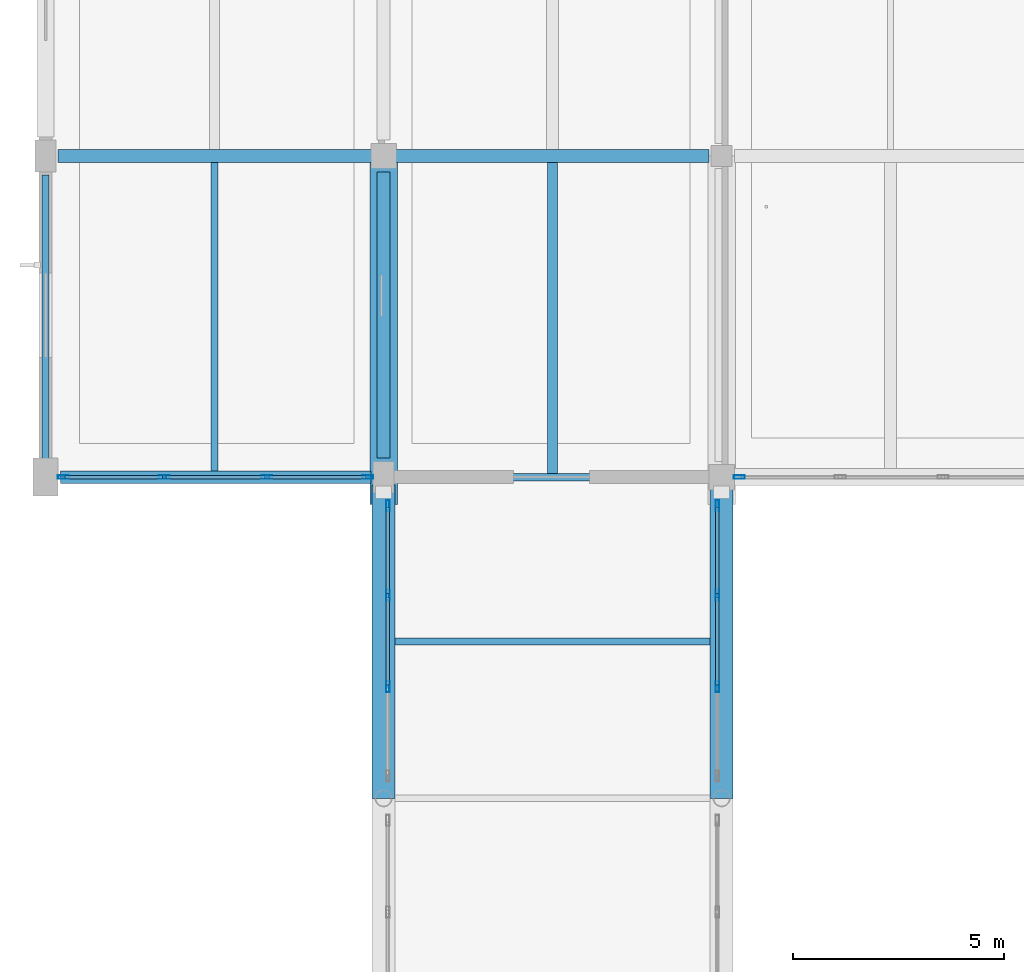
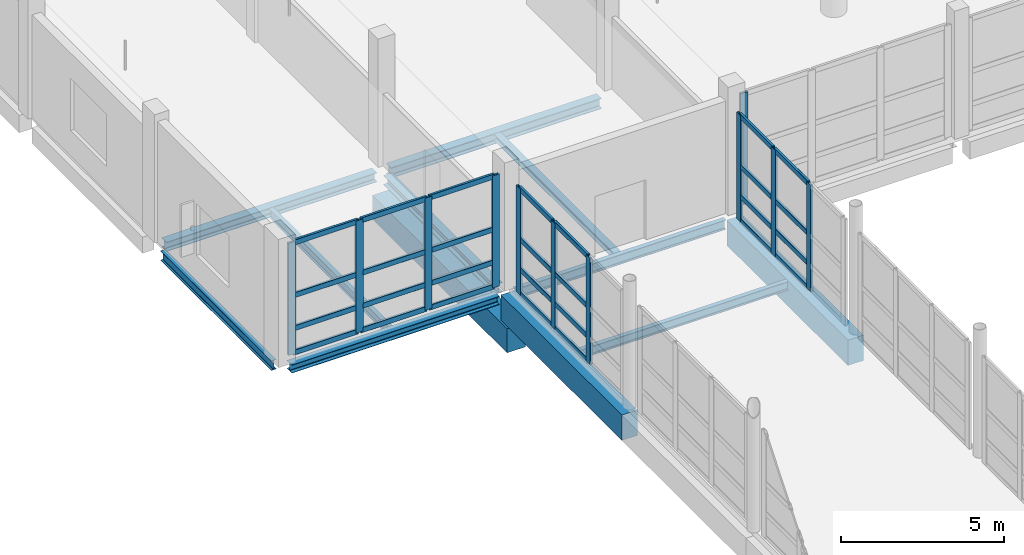
# One storey, part 33 of 147: 39 members, 12 beams, 4 elements without a shape of their own.
"""IFC4 building model written with IfcOpenShell, lengths in metres."""

from ifc_helpers import new_model, si_unit, direction, frame, origin, origin_2d, place, context, subcontext, project, spatial, rectangle, hollow_rectangle, i_section, extrude, material, material_profile, profile_set, type_object, element, aggregate, save


model = new_model("IFC4")

# Units and contexts
model_context = context("Model", 3, precision=1e-05, world=origin(), true_north=direction((0.0, 1.0)))
body_context = subcontext(model_context, "Body", "Model", "MODEL_VIEW")
ifc_project = project(units=[si_unit("LENGTHUNIT", "METRE"), si_unit("AREAUNIT", "SQUARE_METRE"), si_unit("VOLUMEUNIT", "CUBIC_METRE"), si_unit("PLANEANGLEUNIT", "RADIAN"), si_unit("MASSUNIT", "GRAM", prefix="KILO")], contexts=[model_context])

# Site, building, storey
site_placement = place(None, origin())
site = spatial("IfcSite", under=ifc_project, at=site_placement, CompositionType="ELEMENT")
building_placement = place(site_placement, origin())
building = spatial("IfcBuilding", under=site, at=building_placement, Name="Khelvaren Railside Concert Hall", CompositionType="ELEMENT")
storey_placement = place(building_placement, frame((0.0, 0.0, 5.39990234375)))
storey = spatial("IfcBuildingStorey", under=building, at=storey_placement, Name="L01", CompositionType="ELEMENT", Elevation=5.39990234375)

# Beams
ifc_material_1 = material(Name="Concrete C40/50", Category="concrete")
ifc_material_profile_1 = material_profile(ifc_material_1, rectangle(XDim=0.64990234375, YDim=0.89990234375, at=origin_2d()), Name="RCB 650x900")
ifc_profile_set_1 = profile_set([ifc_material_profile_1], Name="Concrete C40/50")
beam_type_1 = type_object("IfcBeamType", Name="BM18", PredefinedType="BEAM", material=ifc_profile_set_1)
beam_1_placement = place(storey_placement, frame((8.0, 67.75, -1.659912109375), z_axis=(0.0, 1.0, 0.0), x_axis=(-1.0, 0.0, 0.0)))
element("IfcBeam", 1, at=beam_1_placement, inside=storey, type_object=beam_type_1, Name="West Court Chamber Link Bridge L01 Seismic Corbel Seat 1", PredefinedType="BEAM", context=body_context, shape_type="SweptSolid", body=[
    extrude(rectangle(XDim=0.64990234375, YDim=0.89990234375, at=origin_2d()), origin(), (0.0, 0.0, 1.0), 8.25),
])
ifc_material_2 = material(Name="Steel S355", Category="steel")
ifc_material_profile_2 = material_profile(ifc_material_2, i_section(OverallWidth=0.300048828125, OverallDepth=0.389892578125, WebThickness=0.010986328125, FlangeThickness=0.01904296875, FilletRadius=0.027099609375, at=origin_2d()), Name="HEA 400")
ifc_profile_set_2 = profile_set([ifc_material_profile_2], Name="Steel S355")
beam_type_2 = type_object("IfcBeamType", Name="BM23", PredefinedType="BEAM", material=ifc_profile_set_2)
beam_2_placement = place(storey_placement, frame((8.25, 76.0, -0.494873046875), z_axis=(1.0, 0.0, 0.0), x_axis=(0.0, 1.0, 0.0)))
element("IfcBeam", 2, at=beam_2_placement, inside=storey, type_object=beam_type_2, Name="V4 L01 Beam X2.2", PredefinedType="BEAM", context=body_context, shape_type="SweptSolid", body=[
    extrude(i_section(OverallWidth=0.300048828125, OverallDepth=0.389892578125, WebThickness=0.010986328125, FlangeThickness=0.01904296875, FilletRadius=0.027099609375, at=origin_2d()), origin(), (0.0, 0.0, 1.0), 7.449951171875),
])
ifc_material_profile_3 = material_profile(ifc_material_2, i_section(OverallWidth=0.300048828125, OverallDepth=0.35009765625, WebThickness=0.010009765625, FlangeThickness=0.017578125, FilletRadius=0.027099609375, at=origin_2d()), Name="HEA 360")
ifc_profile_set_3 = profile_set([ifc_material_profile_3], Name="Steel S355")
beam_type_3 = type_object("IfcBeamType", Name="BM73", PredefinedType="BEAM", material=ifc_profile_set_3)
beam_3_placement = place(storey_placement, frame((0.300048828125, 76.0, -0.474853515625), z_axis=(1.0, 0.0, 0.0), x_axis=(0.0, 1.0, 0.0)))
element("IfcBeam", 3, at=beam_3_placement, inside=storey, type_object=beam_type_3, Name="V4 L01 Beam X2.1", PredefinedType="BEAM", context=body_context, shape_type="SweptSolid", body=[
    extrude(i_section(OverallWidth=0.300048828125, OverallDepth=0.35009765625, WebThickness=0.010009765625, FlangeThickness=0.017578125, FilletRadius=0.027099609375, at=origin_2d()), origin(), (0.0, 0.0, 1.0), 7.449951171875),
])
beam_4_placement = place(storey_placement, frame((8.0, 68.85009765625, -0.474853515625), z_axis=(0.0, 1.0, 0.0), x_axis=(-1.0, 0.0, 0.0)))
element("IfcBeam", 4, at=beam_4_placement, inside=storey, type_object=beam_type_3, Name="V4 L01 Beam Y2.1", PredefinedType="BEAM", context=body_context, shape_type="SweptSolid", body=[
    extrude(i_section(OverallWidth=0.300048828125, OverallDepth=0.35009765625, WebThickness=0.010009765625, FlangeThickness=0.017578125, FilletRadius=0.027099609375, at=origin_2d()), origin(), (0.0, 0.0, 1.0), 6.77490234375),
])

# Curtain wall, members
ifc_material_3 = material(Name="Acoustic laminated crystal facade glass", Category="glass")
curtain_wall_type_1 = type_object("IfcCurtainWallType", Name="CW15", PredefinedType="USERDEFINED", material=ifc_material_3)
curtain_wall_1_placement = place(storey_placement, origin())
curtain_wall_1 = element("IfcCurtainWall", 5, at=curtain_wall_1_placement, inside=storey, type_object=curtain_wall_type_1, Name="Unitised Curtain Wall CW-V4-L01-S-0", ObjectType="UNITISED CURTAIN WALL", PredefinedType="USERDEFINED")
ifc_material_4 = material(Name="Anodised architectural aluminium 6063-T6", Category="aluminium")
ifc_material_profile_4 = material_profile(ifc_material_4, hollow_rectangle(XDim=0.0849609375, YDim=0.260009765625, WallThickness=0.0048828125, InnerFilletRadius=0.0029296875, OuterFilletRadius=0.0048828125, at=origin_2d()), Name="CWM 85x260x5")
ifc_profile_set_4 = profile_set([ifc_material_profile_4], Name="Anodised architectural aluminium 6063-T6")
member_type_1 = type_object("IfcMemberType", Name="CWM40", PredefinedType="MULLION", material=ifc_profile_set_4)
member_1_placement = place(storey_placement, frame((7.6298828125, 68.39990234375, 0.0), z_axis=(0.0, 0.0, 1.0), x_axis=(0.0, -1.0, 0.0)))
member_1 = element("IfcMember", 6, at=member_1_placement, type_object=member_type_1, Name="CW15 mullion 1", PredefinedType="MULLION", context=body_context, shape_type="SweptSolid", body=[
    extrude(hollow_rectangle(XDim=0.0849609375, YDim=0.260009765625, WallThickness=0.0048828125, InnerFilletRadius=0.0029296875, OuterFilletRadius=0.0048828125, at=origin_2d()), origin(), (0.0, 0.0, 1.0), 4.2001953125),
])
member_2_placement = place(storey_placement, frame((5.24072265625, 68.39990234375, 0.0), z_axis=(0.0, 0.0, 1.0), x_axis=(0.0, -1.0, 0.0)))
member_2 = element("IfcMember", 7, at=member_2_placement, type_object=member_type_1, Name="CW15 mullion 2", PredefinedType="MULLION", context=body_context, shape_type="SweptSolid", body=[
    extrude(hollow_rectangle(XDim=0.0849609375, YDim=0.260009765625, WallThickness=0.0048828125, InnerFilletRadius=0.0029296875, OuterFilletRadius=0.0048828125, at=origin_2d()), origin(), (0.0, 0.0, 1.0), 4.2001953125),
])
member_3_placement = place(storey_placement, frame((2.80908203125, 68.39990234375, 0.0), z_axis=(0.0, 0.0, 1.0), x_axis=(0.0, -1.0, 0.0)))
member_3 = element("IfcMember", 8, at=member_3_placement, type_object=member_type_1, Name="CW15 mullion 3", PredefinedType="MULLION", context=body_context, shape_type="SweptSolid", body=[
    extrude(hollow_rectangle(XDim=0.0849609375, YDim=0.260009765625, WallThickness=0.0048828125, InnerFilletRadius=0.0029296875, OuterFilletRadius=0.0048828125, at=origin_2d()), origin(), (0.0, 0.0, 1.0), 4.2001953125),
])
member_4_placement = place(storey_placement, frame((0.419921875, 68.39990234375, 0.0), z_axis=(0.0, 0.0, 1.0), x_axis=(0.0, -1.0, 0.0)))
member_4 = element("IfcMember", 9, at=member_4_placement, type_object=member_type_1, Name="CW15 mullion 4", PredefinedType="MULLION", context=body_context, shape_type="SweptSolid", body=[
    extrude(hollow_rectangle(XDim=0.0849609375, YDim=0.260009765625, WallThickness=0.0048828125, InnerFilletRadius=0.0029296875, OuterFilletRadius=0.0048828125, at=origin_2d()), origin(), (0.0, 0.0, 1.0), 4.2001953125),
])

# Curtain wall, member
curtain_wall_type_2 = type_object("IfcCurtainWallType", Name="CW54", PredefinedType="USERDEFINED", material=ifc_material_3)
curtain_wall_2_placement = place(storey_placement, origin())
curtain_wall_2 = element("IfcCurtainWall", 10, at=curtain_wall_2_placement, inside=storey, type_object=curtain_wall_type_2, Name="Unitised Curtain Wall CW-V4-L01-S-16", ObjectType="UNITISED CURTAIN WALL", PredefinedType="USERDEFINED")
member_5_placement = place(storey_placement, frame((16.419921875, 68.39990234375, 0.0), z_axis=(0.0, 0.0, 1.0), x_axis=(0.0, -1.0, 0.0)))
member_5 = element("IfcMember", 11, at=member_5_placement, type_object=member_type_1, Name="CW54 mullion 4", PredefinedType="MULLION", context=body_context, shape_type="SweptSolid", body=[
    extrude(hollow_rectangle(XDim=0.0849609375, YDim=0.260009765625, WallThickness=0.0048828125, InnerFilletRadius=0.0029296875, OuterFilletRadius=0.0048828125, at=origin_2d()), origin(), (0.0, 0.0, 1.0), 4.2001953125),
])
aggregate(curtain_wall_2, [member_5])

# Curtain wall, members
curtain_wall_type_3 = type_object("IfcCurtainWallType", Name="CW78", PredefinedType="USERDEFINED", material=ifc_material_3)
curtain_wall_3_placement = place(storey_placement, origin())
curtain_wall_3 = element("IfcCurtainWall", 12, at=curtain_wall_3_placement, inside=storey, type_object=curtain_wall_type_3, Name="Unitised Curtain Wall CW-LB3-L01-W3", ObjectType="UNITISED CURTAIN WALL", PredefinedType="USERDEFINED")
member_6_placement = place(storey_placement, frame((8.10009765625, 63.443359375, 0.0), z_axis=(0.0, 0.0, 1.0), x_axis=(-1.0, 0.0, 0.0)))
member_6 = element("IfcMember", 13, at=member_6_placement, type_object=member_type_1, Name="CW78 mullion 2", PredefinedType="MULLION", context=body_context, shape_type="SweptSolid", body=[
    extrude(hollow_rectangle(XDim=0.0849609375, YDim=0.260009765625, WallThickness=0.0048828125, InnerFilletRadius=0.0029296875, OuterFilletRadius=0.0048828125, at=origin_2d()), origin(), (0.0, 0.0, 1.0), 3.97998046875),
])
member_7_placement = place(storey_placement, frame((8.10009765625, 65.606689453125, 0.0), z_axis=(0.0, 0.0, 1.0), x_axis=(-1.0, 0.0, 0.0)))
member_7 = element("IfcMember", 14, at=member_7_placement, type_object=member_type_1, Name="CW78 mullion 3", PredefinedType="MULLION", context=body_context, shape_type="SweptSolid", body=[
    extrude(hollow_rectangle(XDim=0.0849609375, YDim=0.260009765625, WallThickness=0.0048828125, InnerFilletRadius=0.0029296875, OuterFilletRadius=0.0048828125, at=origin_2d()), origin(), (0.0, 0.0, 1.0), 3.97998046875),
])
member_8_placement = place(storey_placement, frame((8.10009765625, 67.7275390625, 0.0), z_axis=(0.0, 0.0, 1.0), x_axis=(-1.0, 0.0, 0.0)))
member_8 = element("IfcMember", 15, at=member_8_placement, type_object=member_type_1, Name="CW78 mullion 4", PredefinedType="MULLION", context=body_context, shape_type="SweptSolid", body=[
    extrude(hollow_rectangle(XDim=0.0849609375, YDim=0.260009765625, WallThickness=0.0048828125, InnerFilletRadius=0.0029296875, OuterFilletRadius=0.0048828125, at=origin_2d()), origin(), (0.0, 0.0, 1.0), 3.97998046875),
])

curtain_wall_4_placement = place(storey_placement, origin())
curtain_wall_4 = element("IfcCurtainWall", 16, at=curtain_wall_4_placement, inside=storey, type_object=curtain_wall_type_3, Name="Unitised Curtain Wall CW-LB3-L01-E3", ObjectType="UNITISED CURTAIN WALL", PredefinedType="USERDEFINED")
member_9_placement = place(storey_placement, frame((15.89990234375, 67.7275390625, 0.0), z_axis=(0.0, 0.0, 1.0), x_axis=(1.0, 0.0, 0.0)))
member_9 = element("IfcMember", 17, at=member_9_placement, type_object=member_type_1, Name="CW78 mullion 1", PredefinedType="MULLION", context=body_context, shape_type="SweptSolid", body=[
    extrude(hollow_rectangle(XDim=0.0849609375, YDim=0.260009765625, WallThickness=0.0048828125, InnerFilletRadius=0.0029296875, OuterFilletRadius=0.0048828125, at=origin_2d()), origin(), (0.0, 0.0, 1.0), 3.97998046875),
])
member_10_placement = place(storey_placement, frame((15.89990234375, 65.606689453125, 0.0), z_axis=(0.0, 0.0, 1.0), x_axis=(1.0, 0.0, 0.0)))
member_10 = element("IfcMember", 18, at=member_10_placement, type_object=member_type_1, Name="CW78 mullion 2", PredefinedType="MULLION", context=body_context, shape_type="SweptSolid", body=[
    extrude(hollow_rectangle(XDim=0.0849609375, YDim=0.260009765625, WallThickness=0.0048828125, InnerFilletRadius=0.0029296875, OuterFilletRadius=0.0048828125, at=origin_2d()), origin(), (0.0, 0.0, 1.0), 3.97998046875),
])
member_11_placement = place(storey_placement, frame((15.89990234375, 63.443359375, 0.0), z_axis=(0.0, 0.0, 1.0), x_axis=(1.0, 0.0, 0.0)))
member_11 = element("IfcMember", 19, at=member_11_placement, type_object=member_type_1, Name="CW78 mullion 3", PredefinedType="MULLION", context=body_context, shape_type="SweptSolid", body=[
    extrude(hollow_rectangle(XDim=0.0849609375, YDim=0.260009765625, WallThickness=0.0048828125, InnerFilletRadius=0.0029296875, OuterFilletRadius=0.0048828125, at=origin_2d()), origin(), (0.0, 0.0, 1.0), 3.97998046875),
])

# Member
ifc_material_profile_5 = material_profile(ifc_material_4, hollow_rectangle(XDim=0.0849609375, YDim=0.18994140625, WallThickness=0.0048828125, InnerFilletRadius=0.0029296875, OuterFilletRadius=0.0048828125, at=origin_2d()), Name="CWT 85x190x5")
ifc_profile_set_5 = profile_set([ifc_material_profile_5], Name="Anodised architectural aluminium 6063-T6")
member_type_2 = type_object("IfcMemberType", Name="CWT31", PredefinedType="USERDEFINED", material=ifc_profile_set_5)
member_12_placement = place(storey_placement, frame((7.58740234375, 68.39990234375, 0.04248046875), z_axis=(-1.0, 0.0, 0.0), x_axis=(0.0, -1.0, 0.0)))
member_12 = element("IfcMember", 20, at=member_12_placement, type_object=member_type_2, Name="CW15 transom 1.1", ObjectType="TRANSOM", PredefinedType="USERDEFINED", context=body_context, shape_type="SweptSolid", body=[
    extrude(hollow_rectangle(XDim=0.0849609375, YDim=0.18994140625, WallThickness=0.0048828125, InnerFilletRadius=0.0029296875, OuterFilletRadius=0.0048828125, at=origin_2d()), origin(), (0.0, 0.0, 1.0), 2.303955078125),
])

member_13_placement = place(storey_placement, frame((7.58740234375, 68.39990234375, 0.9501953125), z_axis=(-1.0, 0.0, 0.0), x_axis=(0.0, -1.0, 0.0)))
member_13 = element("IfcMember", 21, at=member_13_placement, type_object=member_type_2, Name="CW15 transom 1.2", ObjectType="TRANSOM", PredefinedType="USERDEFINED", context=body_context, shape_type="SweptSolid", body=[
    extrude(hollow_rectangle(XDim=0.0849609375, YDim=0.18994140625, WallThickness=0.0048828125, InnerFilletRadius=0.0029296875, OuterFilletRadius=0.0048828125, at=origin_2d()), origin(), (0.0, 0.0, 1.0), 2.303955078125),
])

member_14_placement = place(storey_placement, frame((7.58740234375, 68.39990234375, 2.18408203125), z_axis=(-1.0, 0.0, 0.0), x_axis=(0.0, -1.0, 0.0)))
member_14 = element("IfcMember", 22, at=member_14_placement, type_object=member_type_2, Name="CW15 transom 1.3", ObjectType="TRANSOM", PredefinedType="USERDEFINED", context=body_context, shape_type="SweptSolid", body=[
    extrude(hollow_rectangle(XDim=0.0849609375, YDim=0.18994140625, WallThickness=0.0048828125, InnerFilletRadius=0.0029296875, OuterFilletRadius=0.0048828125, at=origin_2d()), origin(), (0.0, 0.0, 1.0), 2.303955078125),
])

member_15_placement = place(storey_placement, frame((7.58740234375, 68.39990234375, 4.15771484375), z_axis=(-1.0, 0.0, 0.0), x_axis=(0.0, -1.0, 0.0)))
member_15 = element("IfcMember", 23, at=member_15_placement, type_object=member_type_2, Name="CW15 transom 1.4", ObjectType="TRANSOM", PredefinedType="USERDEFINED", context=body_context, shape_type="SweptSolid", body=[
    extrude(hollow_rectangle(XDim=0.0849609375, YDim=0.18994140625, WallThickness=0.0048828125, InnerFilletRadius=0.0029296875, OuterFilletRadius=0.0048828125, at=origin_2d()), origin(), (0.0, 0.0, 1.0), 2.303955078125),
])

member_16_placement = place(storey_placement, frame((5.1982421875, 68.39990234375, 0.04248046875), z_axis=(-1.0, 0.0, 0.0), x_axis=(0.0, -1.0, 0.0)))
member_16 = element("IfcMember", 24, at=member_16_placement, type_object=member_type_2, Name="CW15 transom 2.1", ObjectType="TRANSOM", PredefinedType="USERDEFINED", context=body_context, shape_type="SweptSolid", body=[
    extrude(hollow_rectangle(XDim=0.0849609375, YDim=0.18994140625, WallThickness=0.0048828125, InnerFilletRadius=0.0029296875, OuterFilletRadius=0.0048828125, at=origin_2d()), origin(), (0.0, 0.0, 1.0), 2.3466796875),
])

member_17_placement = place(storey_placement, frame((5.1982421875, 68.39990234375, 0.9501953125), z_axis=(-1.0, 0.0, 0.0), x_axis=(0.0, -1.0, 0.0)))
member_17 = element("IfcMember", 25, at=member_17_placement, type_object=member_type_2, Name="CW15 transom 2.2", ObjectType="TRANSOM", PredefinedType="USERDEFINED", context=body_context, shape_type="SweptSolid", body=[
    extrude(hollow_rectangle(XDim=0.0849609375, YDim=0.18994140625, WallThickness=0.0048828125, InnerFilletRadius=0.0029296875, OuterFilletRadius=0.0048828125, at=origin_2d()), origin(), (0.0, 0.0, 1.0), 2.3466796875),
])

member_18_placement = place(storey_placement, frame((5.1982421875, 68.39990234375, 2.18408203125), z_axis=(-1.0, 0.0, 0.0), x_axis=(0.0, -1.0, 0.0)))
member_18 = element("IfcMember", 26, at=member_18_placement, type_object=member_type_2, Name="CW15 transom 2.3", ObjectType="TRANSOM", PredefinedType="USERDEFINED", context=body_context, shape_type="SweptSolid", body=[
    extrude(hollow_rectangle(XDim=0.0849609375, YDim=0.18994140625, WallThickness=0.0048828125, InnerFilletRadius=0.0029296875, OuterFilletRadius=0.0048828125, at=origin_2d()), origin(), (0.0, 0.0, 1.0), 2.3466796875),
])

member_19_placement = place(storey_placement, frame((5.1982421875, 68.39990234375, 4.15771484375), z_axis=(-1.0, 0.0, 0.0), x_axis=(0.0, -1.0, 0.0)))
member_19 = element("IfcMember", 27, at=member_19_placement, type_object=member_type_2, Name="CW15 transom 2.4", ObjectType="TRANSOM", PredefinedType="USERDEFINED", context=body_context, shape_type="SweptSolid", body=[
    extrude(hollow_rectangle(XDim=0.0849609375, YDim=0.18994140625, WallThickness=0.0048828125, InnerFilletRadius=0.0029296875, OuterFilletRadius=0.0048828125, at=origin_2d()), origin(), (0.0, 0.0, 1.0), 2.3466796875),
])

member_20_placement = place(storey_placement, frame((2.7666015625, 68.39990234375, 0.04248046875), z_axis=(-1.0, 0.0, 0.0), x_axis=(0.0, -1.0, 0.0)))
member_20 = element("IfcMember", 28, at=member_20_placement, type_object=member_type_2, Name="CW15 transom 3.1", ObjectType="TRANSOM", PredefinedType="USERDEFINED", context=body_context, shape_type="SweptSolid", body=[
    extrude(hollow_rectangle(XDim=0.0849609375, YDim=0.18994140625, WallThickness=0.0048828125, InnerFilletRadius=0.0029296875, OuterFilletRadius=0.0048828125, at=origin_2d()), origin(), (0.0, 0.0, 1.0), 2.30419921875),
])

member_21_placement = place(storey_placement, frame((2.7666015625, 68.39990234375, 0.9501953125), z_axis=(-1.0, 0.0, 0.0), x_axis=(0.0, -1.0, 0.0)))
member_21 = element("IfcMember", 29, at=member_21_placement, type_object=member_type_2, Name="CW15 transom 3.2", ObjectType="TRANSOM", PredefinedType="USERDEFINED", context=body_context, shape_type="SweptSolid", body=[
    extrude(hollow_rectangle(XDim=0.0849609375, YDim=0.18994140625, WallThickness=0.0048828125, InnerFilletRadius=0.0029296875, OuterFilletRadius=0.0048828125, at=origin_2d()), origin(), (0.0, 0.0, 1.0), 2.30419921875),
])

member_22_placement = place(storey_placement, frame((2.7666015625, 68.39990234375, 2.18408203125), z_axis=(-1.0, 0.0, 0.0), x_axis=(0.0, -1.0, 0.0)))
member_22 = element("IfcMember", 30, at=member_22_placement, type_object=member_type_2, Name="CW15 transom 3.3", ObjectType="TRANSOM", PredefinedType="USERDEFINED", context=body_context, shape_type="SweptSolid", body=[
    extrude(hollow_rectangle(XDim=0.0849609375, YDim=0.18994140625, WallThickness=0.0048828125, InnerFilletRadius=0.0029296875, OuterFilletRadius=0.0048828125, at=origin_2d()), origin(), (0.0, 0.0, 1.0), 2.30419921875),
])

member_23_placement = place(storey_placement, frame((2.7666015625, 68.39990234375, 4.15771484375), z_axis=(-1.0, 0.0, 0.0), x_axis=(0.0, -1.0, 0.0)))
member_23 = element("IfcMember", 31, at=member_23_placement, type_object=member_type_2, Name="CW15 transom 3.4", ObjectType="TRANSOM", PredefinedType="USERDEFINED", context=body_context, shape_type="SweptSolid", body=[
    extrude(hollow_rectangle(XDim=0.0849609375, YDim=0.18994140625, WallThickness=0.0048828125, InnerFilletRadius=0.0029296875, OuterFilletRadius=0.0048828125, at=origin_2d()), origin(), (0.0, 0.0, 1.0), 2.30419921875),
])

aggregate(curtain_wall_1, [member_1, member_2, member_3, member_4, member_12, member_13, member_14, member_15, member_16, member_17, member_18, member_19, member_20, member_21, member_22, member_23])

member_24_placement = place(storey_placement, frame((8.10009765625, 63.48583984375, 0.04248046875), z_axis=(0.0, 1.0, 0.0), x_axis=(-1.0, 0.0, 0.0)))
member_24 = element("IfcMember", 32, at=member_24_placement, type_object=member_type_2, Name="CW78 transom 2.1", ObjectType="TRANSOM", PredefinedType="USERDEFINED", context=body_context, shape_type="SweptSolid", body=[
    extrude(hollow_rectangle(XDim=0.0849609375, YDim=0.18994140625, WallThickness=0.0048828125, InnerFilletRadius=0.0029296875, OuterFilletRadius=0.0048828125, at=origin_2d()), origin(), (0.0, 0.0, 1.0), 2.078369140625),
])

member_25_placement = place(storey_placement, frame((8.10009765625, 63.48583984375, 0.9501953125), z_axis=(0.0, 1.0, 0.0), x_axis=(-1.0, 0.0, 0.0)))
member_25 = element("IfcMember", 33, at=member_25_placement, type_object=member_type_2, Name="CW78 transom 2.2", ObjectType="TRANSOM", PredefinedType="USERDEFINED", context=body_context, shape_type="SweptSolid", body=[
    extrude(hollow_rectangle(XDim=0.0849609375, YDim=0.18994140625, WallThickness=0.0048828125, InnerFilletRadius=0.0029296875, OuterFilletRadius=0.0048828125, at=origin_2d()), origin(), (0.0, 0.0, 1.0), 2.078369140625),
])

member_26_placement = place(storey_placement, frame((8.10009765625, 63.48583984375, 2.069580078125), z_axis=(0.0, 1.0, 0.0), x_axis=(-1.0, 0.0, 0.0)))
member_26 = element("IfcMember", 34, at=member_26_placement, type_object=member_type_2, Name="CW78 transom 2.3", ObjectType="TRANSOM", PredefinedType="USERDEFINED", context=body_context, shape_type="SweptSolid", body=[
    extrude(hollow_rectangle(XDim=0.0849609375, YDim=0.18994140625, WallThickness=0.0048828125, InnerFilletRadius=0.0029296875, OuterFilletRadius=0.0048828125, at=origin_2d()), origin(), (0.0, 0.0, 1.0), 2.078369140625),
])

member_27_placement = place(storey_placement, frame((8.10009765625, 63.48583984375, 3.9375), z_axis=(0.0, 1.0, 0.0), x_axis=(-1.0, 0.0, 0.0)))
member_27 = element("IfcMember", 35, at=member_27_placement, type_object=member_type_2, Name="CW78 transom 2.4", ObjectType="TRANSOM", PredefinedType="USERDEFINED", context=body_context, shape_type="SweptSolid", body=[
    extrude(hollow_rectangle(XDim=0.0849609375, YDim=0.18994140625, WallThickness=0.0048828125, InnerFilletRadius=0.0029296875, OuterFilletRadius=0.0048828125, at=origin_2d()), origin(), (0.0, 0.0, 1.0), 2.078369140625),
])

member_28_placement = place(storey_placement, frame((8.10009765625, 65.649169921875, 0.04248046875), z_axis=(0.0, 1.0, 0.0), x_axis=(-1.0, 0.0, 0.0)))
member_28 = element("IfcMember", 36, at=member_28_placement, type_object=member_type_2, Name="CW78 transom 3.1", ObjectType="TRANSOM", PredefinedType="USERDEFINED", context=body_context, shape_type="SweptSolid", body=[
    extrude(hollow_rectangle(XDim=0.0849609375, YDim=0.18994140625, WallThickness=0.0048828125, InnerFilletRadius=0.0029296875, OuterFilletRadius=0.0048828125, at=origin_2d()), origin(), (0.0, 0.0, 1.0), 2.035888671875),
])

member_29_placement = place(storey_placement, frame((8.10009765625, 65.649169921875, 0.9501953125), z_axis=(0.0, 1.0, 0.0), x_axis=(-1.0, 0.0, 0.0)))
member_29 = element("IfcMember", 37, at=member_29_placement, type_object=member_type_2, Name="CW78 transom 3.2", ObjectType="TRANSOM", PredefinedType="USERDEFINED", context=body_context, shape_type="SweptSolid", body=[
    extrude(hollow_rectangle(XDim=0.0849609375, YDim=0.18994140625, WallThickness=0.0048828125, InnerFilletRadius=0.0029296875, OuterFilletRadius=0.0048828125, at=origin_2d()), origin(), (0.0, 0.0, 1.0), 2.035888671875),
])

member_30_placement = place(storey_placement, frame((8.10009765625, 65.649169921875, 2.069580078125), z_axis=(0.0, 1.0, 0.0), x_axis=(-1.0, 0.0, 0.0)))
member_30 = element("IfcMember", 38, at=member_30_placement, type_object=member_type_2, Name="CW78 transom 3.3", ObjectType="TRANSOM", PredefinedType="USERDEFINED", context=body_context, shape_type="SweptSolid", body=[
    extrude(hollow_rectangle(XDim=0.0849609375, YDim=0.18994140625, WallThickness=0.0048828125, InnerFilletRadius=0.0029296875, OuterFilletRadius=0.0048828125, at=origin_2d()), origin(), (0.0, 0.0, 1.0), 2.035888671875),
])

member_31_placement = place(storey_placement, frame((8.10009765625, 65.649169921875, 3.9375), z_axis=(0.0, 1.0, 0.0), x_axis=(-1.0, 0.0, 0.0)))
member_31 = element("IfcMember", 39, at=member_31_placement, type_object=member_type_2, Name="CW78 transom 3.4", ObjectType="TRANSOM", PredefinedType="USERDEFINED", context=body_context, shape_type="SweptSolid", body=[
    extrude(hollow_rectangle(XDim=0.0849609375, YDim=0.18994140625, WallThickness=0.0048828125, InnerFilletRadius=0.0029296875, OuterFilletRadius=0.0048828125, at=origin_2d()), origin(), (0.0, 0.0, 1.0), 2.035888671875),
])

aggregate(curtain_wall_3, [member_6, member_7, member_8, member_24, member_25, member_26, member_27, member_28, member_29, member_30, member_31])

member_32_placement = place(storey_placement, frame((15.89990234375, 67.68505859375, 0.04248046875), z_axis=(0.0, -1.0, 0.0), x_axis=(1.0, 0.0, 0.0)))
member_32 = element("IfcMember", 40, at=member_32_placement, type_object=member_type_2, Name="CW78 transom 1.1", ObjectType="TRANSOM", PredefinedType="USERDEFINED", context=body_context, shape_type="SweptSolid", body=[
    extrude(hollow_rectangle(XDim=0.0849609375, YDim=0.18994140625, WallThickness=0.0048828125, InnerFilletRadius=0.0029296875, OuterFilletRadius=0.0048828125, at=origin_2d()), origin(), (0.0, 0.0, 1.0), 2.035888671875),
])

member_33_placement = place(storey_placement, frame((15.89990234375, 67.68505859375, 0.9501953125), z_axis=(0.0, -1.0, 0.0), x_axis=(1.0, 0.0, 0.0)))
member_33 = element("IfcMember", 41, at=member_33_placement, type_object=member_type_2, Name="CW78 transom 1.2", ObjectType="TRANSOM", PredefinedType="USERDEFINED", context=body_context, shape_type="SweptSolid", body=[
    extrude(hollow_rectangle(XDim=0.0849609375, YDim=0.18994140625, WallThickness=0.0048828125, InnerFilletRadius=0.0029296875, OuterFilletRadius=0.0048828125, at=origin_2d()), origin(), (0.0, 0.0, 1.0), 2.035888671875),
])

member_34_placement = place(storey_placement, frame((15.89990234375, 67.68505859375, 2.069580078125), z_axis=(0.0, -1.0, 0.0), x_axis=(1.0, 0.0, 0.0)))
member_34 = element("IfcMember", 42, at=member_34_placement, type_object=member_type_2, Name="CW78 transom 1.3", ObjectType="TRANSOM", PredefinedType="USERDEFINED", context=body_context, shape_type="SweptSolid", body=[
    extrude(hollow_rectangle(XDim=0.0849609375, YDim=0.18994140625, WallThickness=0.0048828125, InnerFilletRadius=0.0029296875, OuterFilletRadius=0.0048828125, at=origin_2d()), origin(), (0.0, 0.0, 1.0), 2.035888671875),
])

member_35_placement = place(storey_placement, frame((15.89990234375, 67.68505859375, 3.9375), z_axis=(0.0, -1.0, 0.0), x_axis=(1.0, 0.0, 0.0)))
member_35 = element("IfcMember", 43, at=member_35_placement, type_object=member_type_2, Name="CW78 transom 1.4", ObjectType="TRANSOM", PredefinedType="USERDEFINED", context=body_context, shape_type="SweptSolid", body=[
    extrude(hollow_rectangle(XDim=0.0849609375, YDim=0.18994140625, WallThickness=0.0048828125, InnerFilletRadius=0.0029296875, OuterFilletRadius=0.0048828125, at=origin_2d()), origin(), (0.0, 0.0, 1.0), 2.035888671875),
])

member_36_placement = place(storey_placement, frame((15.89990234375, 65.564208984375, 0.04248046875), z_axis=(0.0, -1.0, 0.0), x_axis=(1.0, 0.0, 0.0)))
member_36 = element("IfcMember", 44, at=member_36_placement, type_object=member_type_2, Name="CW78 transom 2.1", ObjectType="TRANSOM", PredefinedType="USERDEFINED", context=body_context, shape_type="SweptSolid", body=[
    extrude(hollow_rectangle(XDim=0.0849609375, YDim=0.18994140625, WallThickness=0.0048828125, InnerFilletRadius=0.0029296875, OuterFilletRadius=0.0048828125, at=origin_2d()), origin(), (0.0, 0.0, 1.0), 2.078369140625),
])

member_37_placement = place(storey_placement, frame((15.89990234375, 65.564208984375, 0.9501953125), z_axis=(0.0, -1.0, 0.0), x_axis=(1.0, 0.0, 0.0)))
member_37 = element("IfcMember", 45, at=member_37_placement, type_object=member_type_2, Name="CW78 transom 2.2", ObjectType="TRANSOM", PredefinedType="USERDEFINED", context=body_context, shape_type="SweptSolid", body=[
    extrude(hollow_rectangle(XDim=0.0849609375, YDim=0.18994140625, WallThickness=0.0048828125, InnerFilletRadius=0.0029296875, OuterFilletRadius=0.0048828125, at=origin_2d()), origin(), (0.0, 0.0, 1.0), 2.078369140625),
])

member_38_placement = place(storey_placement, frame((15.89990234375, 65.564208984375, 2.069580078125), z_axis=(0.0, -1.0, 0.0), x_axis=(1.0, 0.0, 0.0)))
member_38 = element("IfcMember", 46, at=member_38_placement, type_object=member_type_2, Name="CW78 transom 2.3", ObjectType="TRANSOM", PredefinedType="USERDEFINED", context=body_context, shape_type="SweptSolid", body=[
    extrude(hollow_rectangle(XDim=0.0849609375, YDim=0.18994140625, WallThickness=0.0048828125, InnerFilletRadius=0.0029296875, OuterFilletRadius=0.0048828125, at=origin_2d()), origin(), (0.0, 0.0, 1.0), 2.078369140625),
])

member_39_placement = place(storey_placement, frame((15.89990234375, 65.564208984375, 3.9375), z_axis=(0.0, -1.0, 0.0), x_axis=(1.0, 0.0, 0.0)))
member_39 = element("IfcMember", 47, at=member_39_placement, type_object=member_type_2, Name="CW78 transom 2.4", ObjectType="TRANSOM", PredefinedType="USERDEFINED", context=body_context, shape_type="SweptSolid", body=[
    extrude(hollow_rectangle(XDim=0.0849609375, YDim=0.18994140625, WallThickness=0.0048828125, InnerFilletRadius=0.0029296875, OuterFilletRadius=0.0048828125, at=origin_2d()), origin(), (0.0, 0.0, 1.0), 2.078369140625),
])

aggregate(curtain_wall_4, [member_9, member_10, member_11, member_32, member_33, member_34, member_35, member_36, member_37, member_38, member_39])

# Beams
ifc_material_profile_6 = material_profile(ifc_material_1, rectangle(XDim=0.550048828125, YDim=0.949951171875, at=origin_2d()), Name="RCB 550x950")
ifc_profile_set_6 = profile_set([ifc_material_profile_6], Name="Concrete C40/50")
beam_type_4 = type_object("IfcBeamType", Name="GR75", PredefinedType="T_BEAM", material=ifc_profile_set_6)
for number, where, z_axis, x_axis, name in (
    (48, (8.0, 60.800048828125, -0.71484375), (0.0, 1.0, 0.0), (-1.0, 0.0, 0.0), "West Court Chamber Link Bridge L01 Bridge Girder 1.3"),
    (49, (16.0, 60.800048828125, -0.71484375), (0.0, 1.0, 0.0), (-1.0, 0.0, 0.0), "West Court Chamber Link Bridge L01 Bridge Girder 2.3"),
):
    element("IfcBeam", number, at=place(storey_placement, frame(where, z_axis=z_axis, x_axis=x_axis)), inside=storey, type_object=beam_type_4, Name=name, PredefinedType="T_BEAM", context=body_context, shape_type="SweptSolid", body=[
        extrude(rectangle(XDim=0.550048828125, YDim=0.949951171875, at=origin_2d()), origin(), (0.0, 0.0, 1.0), 7.419921875),
    ])
ifc_material_profile_7 = material_profile(ifc_material_2, i_section(OverallWidth=0.159912109375, OverallDepth=0.330078125, WebThickness=0.007568359375, FlangeThickness=0.011474609375, FilletRadius=0.01806640625, at=origin_2d()), Name="IPE 330")
ifc_profile_set_7 = profile_set([ifc_material_profile_7], Name="Steel S355")
beam_type_5 = type_object("IfcBeamType", Name="JS65", PredefinedType="JOIST", material=ifc_profile_set_7)
beam_5_placement = place(storey_placement, frame((8.27490234375, 64.510009765625, -0.40478515625), z_axis=(1.0, 0.0, 0.0), x_axis=(0.0, 1.0, 0.0)))
element("IfcBeam", 50, at=beam_5_placement, inside=storey, type_object=beam_type_5, Name="West Court Chamber Link Bridge L01 Bridge Cross Joist 4", PredefinedType="JOIST", context=body_context, shape_type="SweptSolid", body=[
    extrude(i_section(OverallWidth=0.159912109375, OverallDepth=0.330078125, WebThickness=0.007568359375, FlangeThickness=0.011474609375, FilletRadius=0.01806640625, at=origin_2d()), origin(), (0.0, 0.0, 1.0), 7.4501953125),
])
beam_6_placement = place(storey_placement, frame((4.0, 68.550048828125, -0.46484375), z_axis=(0.0, 1.0, 0.0), x_axis=(-1.0, 0.0, 0.0)))
element("IfcBeam", 51, at=beam_6_placement, inside=storey, type_object=beam_type_5, Name="V4 L01 Secondary Joist 1.1", PredefinedType="JOIST", context=body_context, shape_type="SweptSolid", body=[
    extrude(i_section(OverallWidth=0.159912109375, OverallDepth=0.330078125, WebThickness=0.007568359375, FlangeThickness=0.011474609375, FilletRadius=0.01806640625, at=origin_2d()), origin(), (0.0, 0.0, 1.0), 7.300048828125),
])
ifc_material_profile_8 = material_profile(ifc_material_2, i_section(OverallWidth=0.239990234375, OverallDepth=0.22998046875, WebThickness=0.007568359375, FlangeThickness=0.011962890625, FilletRadius=0.02099609375, at=origin_2d()), Name="HEA 240")
ifc_profile_set_8 = profile_set([ifc_material_profile_8], Name="Steel S355")
beam_type_6 = type_object("IfcBeamType", Name="JS76", PredefinedType="JOIST", material=ifc_profile_set_8)
beam_7_placement = place(storey_placement, frame((12.0, 68.485107421875, -0.414794921875), z_axis=(0.0, 1.0, 0.0), x_axis=(-1.0, 0.0, 0.0)))
element("IfcBeam", 52, at=beam_7_placement, inside=storey, type_object=beam_type_6, Name="V4 L01 Secondary Joist 2.1", PredefinedType="JOIST", context=body_context, shape_type="SweptSolid", body=[
    extrude(i_section(OverallWidth=0.239990234375, OverallDepth=0.22998046875, WebThickness=0.007568359375, FlangeThickness=0.011962890625, FilletRadius=0.02099609375, at=origin_2d()), origin(), (0.0, 0.0, 1.0), 7.364990234375),
])
ifc_material_profile_9 = material_profile(ifc_material_2, i_section(OverallWidth=0.300048828125, OverallDepth=0.31005859375, WebThickness=0.009033203125, FlangeThickness=0.015380859375, FilletRadius=0.027099609375, at=origin_2d()), Name="HEA 320")
ifc_profile_set_9 = profile_set([ifc_material_profile_9], Name="Steel S355")
beam_type_7 = type_object("IfcBeamType", Name="SP66", PredefinedType="SPANDREL", material=ifc_profile_set_9)
beam_8_placement = place(storey_placement, frame((0.35009765625, 68.39990234375, -0.454833984375), z_axis=(1.0, 0.0, 0.0), x_axis=(0.0, 1.0, 0.0)))
element("IfcBeam", 53, at=beam_8_placement, inside=storey, type_object=beam_type_7, Name="V4 L01 Spandrel X1.1", PredefinedType="SPANDREL", context=body_context, shape_type="SweptSolid", body=[
    extrude(i_section(OverallWidth=0.300048828125, OverallDepth=0.31005859375, WebThickness=0.009033203125, FlangeThickness=0.015380859375, FilletRadius=0.027099609375, at=origin_2d()), origin(), (0.0, 0.0, 1.0), 7.349853515625),
])
ifc_material_profile_10 = material_profile(ifc_material_2, i_section(OverallWidth=0.169921875, OverallDepth=0.360107421875, WebThickness=0.008056640625, FlangeThickness=0.0126953125, FilletRadius=0.01806640625, at=origin_2d()), Name="IPE 360")
ifc_profile_set_10 = profile_set([ifc_material_profile_10], Name="Steel S355")
beam_type_8 = type_object("IfcBeamType", Name="SP74", PredefinedType="SPANDREL", material=ifc_profile_set_10)
beam_9_placement = place(storey_placement, frame((8.300048828125, 68.39990234375, -0.47998046875), z_axis=(1.0, 0.0, 0.0), x_axis=(0.0, 1.0, 0.0)))
element("IfcBeam", 54, at=beam_9_placement, inside=storey, type_object=beam_type_8, Name="V4 L01 Spandrel X1.2", PredefinedType="SPANDREL", context=body_context, shape_type="SweptSolid", body=[
    extrude(i_section(OverallWidth=0.169921875, OverallDepth=0.360107421875, WebThickness=0.008056640625, FlangeThickness=0.0126953125, FilletRadius=0.01806640625, at=origin_2d()), origin(), (0.0, 0.0, 1.0), 7.449951171875),
])
beam_10_placement = place(storey_placement, frame((0.0, 68.75, -0.47998046875), z_axis=(0.0, 1.0, 0.0), x_axis=(-1.0, 0.0, 0.0)))
element("IfcBeam", 55, at=beam_10_placement, inside=storey, type_object=beam_type_8, Name="V4 L01 Spandrel Y1.1", PredefinedType="SPANDREL", context=body_context, shape_type="SweptSolid", body=[
    extrude(i_section(OverallWidth=0.169921875, OverallDepth=0.360107421875, WebThickness=0.008056640625, FlangeThickness=0.0126953125, FilletRadius=0.01806640625, at=origin_2d()), origin(), (0.0, 0.0, 1.0), 6.800048828125),
])

save(model, "model.ifc")
